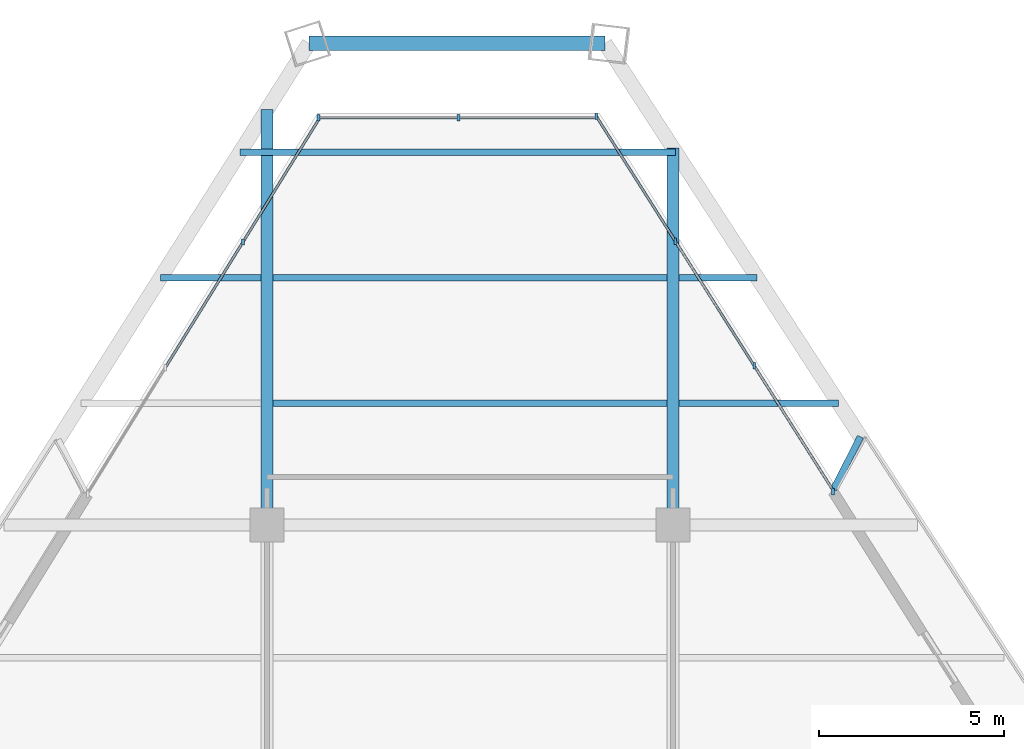
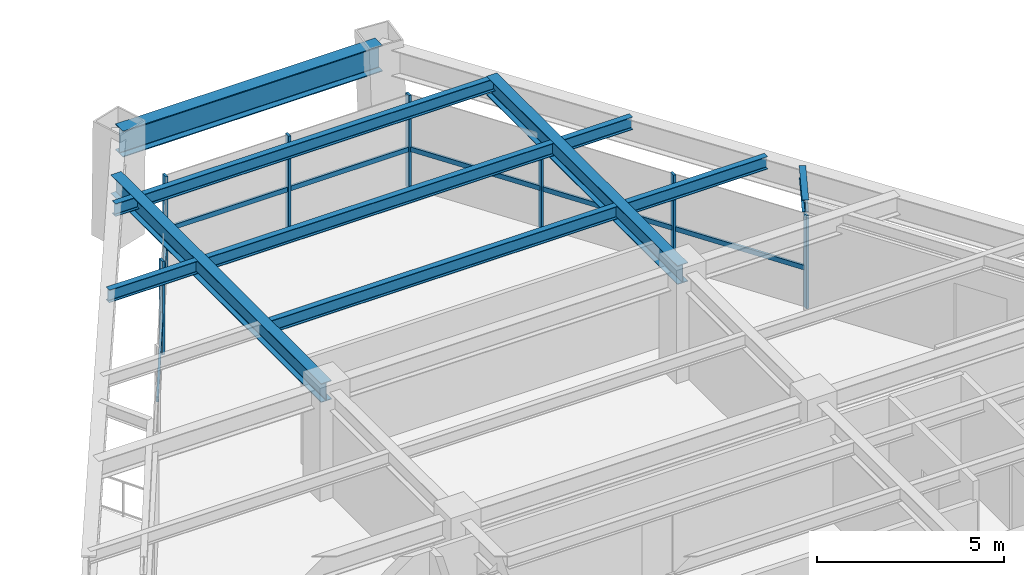
# One storey, part 9 of 15: 14 members, 10 beams, 3 elements without a shape of their own.
"""IFC4 building model written with IfcOpenShell, lengths in metres."""

from ifc_helpers import new_model, si_unit, direction, frame, origin, origin_2d, place, context, subcontext, project, spatial, rectangle, i_section, extrude, source, transform, mapped, material, material_profile, profile_set, type_object, element, aggregate, save


model = new_model("IFC4")

# Units and contexts
model_context = context("Model", 3, precision=1e-05, world=origin(), true_north=direction((0.0, 1.0)))
body_context = subcontext(model_context, "Body", "Model", "MODEL_VIEW")
ifc_project = project(units=[si_unit("LENGTHUNIT", "METRE"), si_unit("AREAUNIT", "SQUARE_METRE"), si_unit("VOLUMEUNIT", "CUBIC_METRE"), si_unit("PLANEANGLEUNIT", "RADIAN"), si_unit("MASSUNIT", "GRAM", prefix="KILO")], contexts=[model_context])

# Site, building, storey
site_placement = place(None, origin())
site = spatial("IfcSite", under=ifc_project, at=site_placement, CompositionType="ELEMENT")
building_placement = place(site_placement, origin())
building = spatial("IfcBuilding", under=site, at=building_placement, Name="Varnakhor Terracotta Tower", CompositionType="ELEMENT")
storey_placement = place(building_placement, frame((0.0, 0.0, 189.5)))
storey = spatial("IfcBuildingStorey", under=building, at=storey_placement, Name="L48", CompositionType="ELEMENT", Elevation=189.5)

# Beams
ifc_material_1 = material(Name="Steel S355", Category="steel")
ifc_material_profile_1 = material_profile(ifc_material_1, i_section(OverallWidth=0.179931640625, OverallDepth=0.4130859375, WebThickness=0.009765625, FlangeThickness=0.01611328125, FilletRadius=0.01806640625, at=origin_2d()), Name="W16X50")
ifc_profile_set_1 = profile_set([ifc_material_profile_1], Name="Steel S355")
beam_type_1 = type_object("IfcBeamType", Name="JST-W16X50", PredefinedType="JOIST", material=ifc_profile_set_1)
shared_shape_1 = source(origin(), body_context, "Body", "SweptSolid", [
    extrude(i_section(OverallWidth=0.179931640625, OverallDepth=0.4130859375, WebThickness=0.009765625, FlangeThickness=0.01611328125, FilletRadius=0.01806640625, at=origin_2d()), origin(), (0.0, 0.0, 1.0), 10.68310546875),
])
for number, where, z_axis, x_axis, name in (
    (1, (-5.341552734375, 34.800048828125, 3.263427734375), (1.0, 0.0, 0.0), (0.0, 1.0, 0.0), "L48 Composite Floor Joist 7-2"),
    (2, (-5.341552734375, 38.199951171875, 3.263427734375), (1.0, 0.0, 0.0), (0.0, 1.0, 0.0), "L48 Composite Floor Joist 8-2"),
):
    element("IfcBeam", number, at=place(storey_placement, frame(where, z_axis=z_axis, x_axis=x_axis)), inside=storey, type_object=beam_type_1, Name=name, PredefinedType="JOIST", context=body_context, shape_type="MappedRepresentation", body=[
        mapped(shared_shape_1, transform((0.0, 0.0, 0.0), scale=1.0)),
    ])
ifc_material_profile_2 = material_profile(ifc_material_1, i_section(OverallWidth=0.39990234375, OverallDepth=0.85498046875, WebThickness=0.01806640625, FlangeThickness=0.029052734375, FilletRadius=0.01806640625, at=origin_2d()), Name="W33X201")
ifc_profile_set_2 = profile_set([ifc_material_profile_2], Name="Steel S355")
beam_type_2 = type_object("IfcBeamType", Name="BM-W33X201", PredefinedType="BEAM", material=ifc_profile_set_2)
shared_shape_2 = source(origin(), body_context, "Body", "SweptSolid", [
    extrude(i_section(OverallWidth=0.39990234375, OverallDepth=0.85498046875, WebThickness=0.01806640625, FlangeThickness=0.029052734375, FilletRadius=0.01806640625, at=origin_2d()), origin(), (0.0, 0.0, 1.0), 8.02001953125),
])
beam_1_placement = place(storey_placement, frame((3.65576171875, 44.55078125, 3.04248046875), z_axis=(-1.0, 0.0, 0.0), x_axis=(0.0, -1.0, 0.0)))
element("IfcBeam", 3, at=beam_1_placement, inside=storey, type_object=beam_type_2, Name="L48 Perimeter Spandrel 5", PredefinedType="BEAM", context=body_context, shape_type="MappedRepresentation", body=[
    mapped(shared_shape_2, transform((0.0, 0.0, 0.0), scale=1.0)),
])
ifc_material_profile_3 = material_profile(ifc_material_1, i_section(OverallWidth=0.324951171875, OverallDepth=0.615966796875, WebThickness=0.013916015625, FlangeThickness=0.02197265625, FilletRadius=0.01806640625, at=origin_2d()), Name="W24X117")
ifc_profile_set_3 = profile_set([ifc_material_profile_3], Name="Steel S355")
beam_type_3 = type_object("IfcBeamType", Name="BM-W24X117", PredefinedType="BEAM", material=ifc_profile_set_3)
shared_shape_3 = source(origin(), body_context, "Body", "SweptSolid", [
    extrude(i_section(OverallWidth=0.324951171875, OverallDepth=0.615966796875, WebThickness=0.013916015625, FlangeThickness=0.02197265625, FilletRadius=0.01806640625, at=origin_2d()), origin(), (0.0, 0.0, 1.0), 11.257080078125),
])
beam_2_placement = place(storey_placement, frame((-5.5, 31.5, 3.162109375), z_axis=(0.0, 1.0, 0.0), x_axis=(-1.0, 0.0, 0.0)))
element("IfcBeam", 4, at=beam_2_placement, inside=storey, type_object=beam_type_3, Name="L48 Primary Girder NS3-W", PredefinedType="BEAM", context=body_context, shape_type="MappedRepresentation", body=[
    mapped(shared_shape_3, transform((0.0, 0.0, 0.0), scale=1.0)),
])
shared_shape_4 = source(origin(), body_context, "Body", "SweptSolid", [
    extrude(i_section(OverallWidth=0.324951171875, OverallDepth=0.615966796875, WebThickness=0.013916015625, FlangeThickness=0.02197265625, FilletRadius=0.01806640625, at=origin_2d()), origin(), (0.0, 0.0, 1.0), 10.20947265625),
])
beam_3_placement = place(storey_placement, frame((5.5, 31.5, 3.162109375), z_axis=(0.0, 1.0, 0.0), x_axis=(-1.0, 0.0, 0.0)))
element("IfcBeam", 5, at=beam_3_placement, inside=storey, type_object=beam_type_3, Name="L48 Primary Girder NS3-E", PredefinedType="BEAM", context=body_context, shape_type="MappedRepresentation", body=[
    mapped(shared_shape_4, transform((0.0, 0.0, 0.0), scale=1.0)),
])
shared_shape_5 = source(origin(), body_context, "Body", "SweptSolid", [
    extrude(i_section(OverallWidth=0.179931640625, OverallDepth=0.4130859375, WebThickness=0.009765625, FlangeThickness=0.01611328125, FilletRadius=0.01806640625, at=origin_2d()), origin(), (0.0, 0.0, 1.0), 4.326416015625),
])
beam_4_placement = place(storey_placement, frame((5.658447265625, 34.800048828125, 3.263427734375), z_axis=(1.0, 0.0, 0.0), x_axis=(0.0, 1.0, 0.0)))
element("IfcBeam", 6, at=beam_4_placement, inside=storey, type_object=beam_type_1, Name="L48 Composite Floor Joist 7-3", PredefinedType="JOIST", context=body_context, shape_type="MappedRepresentation", body=[
    mapped(shared_shape_5, transform((0.0, 0.0, 0.0), scale=1.0)),
])
shared_shape_6 = source(origin(), body_context, "Body", "SweptSolid", [
    extrude(i_section(OverallWidth=0.179931640625, OverallDepth=0.4130859375, WebThickness=0.009765625, FlangeThickness=0.01611328125, FilletRadius=0.01806640625, at=origin_2d()), origin(), (0.0, 0.0, 1.0), 2.72705078125),
])
beam_5_placement = place(storey_placement, frame((-8.385498046875, 38.199951171875, 3.263427734375), z_axis=(1.0, 0.0, 0.0), x_axis=(0.0, 1.0, 0.0)))
element("IfcBeam", 7, at=beam_5_placement, inside=storey, type_object=beam_type_1, Name="L48 Composite Floor Joist 8-1", PredefinedType="JOIST", context=body_context, shape_type="MappedRepresentation", body=[
    mapped(shared_shape_6, transform((0.0, 0.0, 0.0), scale=1.0)),
])
shared_shape_7 = source(origin(), body_context, "Body", "SweptSolid", [
    extrude(i_section(OverallWidth=0.179931640625, OverallDepth=0.4130859375, WebThickness=0.009765625, FlangeThickness=0.01611328125, FilletRadius=0.01806640625, at=origin_2d()), origin(), (0.0, 0.0, 1.0), 2.119384765625),
])
beam_6_placement = place(storey_placement, frame((5.658447265625, 38.199951171875, 3.263427734375), z_axis=(1.0, 0.0, 0.0), x_axis=(0.0, 1.0, 0.0)))
element("IfcBeam", 8, at=beam_6_placement, inside=storey, type_object=beam_type_1, Name="L48 Composite Floor Joist 8-3", PredefinedType="JOIST", context=body_context, shape_type="MappedRepresentation", body=[
    mapped(shared_shape_7, transform((0.0, 0.0, 0.0), scale=1.0)),
])
shared_shape_8 = source(origin(), body_context, "Body", "SweptSolid", [
    extrude(i_section(OverallWidth=0.179931640625, OverallDepth=0.4130859375, WebThickness=0.009765625, FlangeThickness=0.01611328125, FilletRadius=0.01806640625, at=origin_2d()), origin(), (0.0, 0.0, 1.0), 11.8037109375),
])
beam_7_placement = place(storey_placement, frame((-6.232666015625, 41.60009765625, 3.263427734375), z_axis=(1.0, 0.0, 0.0), x_axis=(0.0, 1.0, 0.0)))
element("IfcBeam", 9, at=beam_7_placement, inside=storey, type_object=beam_type_1, Name="L48 Composite Floor Joist 9-1", PredefinedType="JOIST", context=body_context, shape_type="MappedRepresentation", body=[
    mapped(shared_shape_8, transform((0.0, 0.0, 0.0), scale=1.0)),
])
ifc_material_profile_4 = material_profile(ifc_material_1, i_section(OverallWidth=0.179931640625, OverallDepth=0.39990234375, WebThickness=0.008544921875, FlangeThickness=0.013427734375, FilletRadius=0.01806640625, at=origin_2d()), Name="IPE400")
ifc_profile_set_4 = profile_set([ifc_material_profile_4], Name="Steel S355")
beam_type_4 = type_object("IfcBeamType", Name="JST-IPE400", PredefinedType="JOIST", material=ifc_profile_set_4)
shared_shape_9 = source(origin(), body_context, "Body", "SweptSolid", [
    extrude(i_section(OverallWidth=0.179931640625, OverallDepth=0.39990234375, WebThickness=0.008544921875, FlangeThickness=0.013427734375, FilletRadius=0.01806640625, at=origin_2d()), origin(), (0.0, 0.0, 1.0), 1.6103515625),
])
beam_8_placement = place(storey_placement, frame((9.843994140625, 32.4541015625, 3.27001953125), z_axis=(0.454958797791, 0.890512488578, 0.0), x_axis=(-0.890512488578, 0.454958797791, 0.0)))
element("IfcBeam", 10, at=beam_8_placement, inside=storey, type_object=beam_type_4, Name="L49 E Loggia Tie Beam 1", PredefinedType="JOIST", context=body_context, shape_type="MappedRepresentation", body=[
    mapped(shared_shape_9, transform((0.0, 0.0, 0.0), scale=1.0)),
])

# Curtain wall, member
ifc_material_2 = material(Name="Anodised Aluminium Curtain Wall System", Category="aluminium")
curtain_wall_type = type_object("IfcCurtainWallType", Name="CW-SYS-MID-OFFICE", PredefinedType="NOTDEFINED", material=ifc_material_2)
curtain_wall_1_placement = place(storey_placement, origin())
curtain_wall_1 = element("IfcCurtainWall", 11, at=curtain_wall_1_placement, inside=storey, type_object=curtain_wall_type, Name="L48 W Facet Curtain Wall 2", PredefinedType="NOTDEFINED")
ifc_material_3 = material(Name="Anodised Aluminium 6063-T6", Category="aluminium")
ifc_material_profile_5 = material_profile(ifc_material_3, rectangle(XDim=0.070068359375, YDim=0.175048828125, at=origin_2d()), Name="ALU MULLION 70x175")
ifc_profile_set_5 = profile_set([ifc_material_profile_5], Name="Anodised Aluminium 6063-T6")
member_type_1 = type_object("IfcMemberType", Name="CWM-03", PredefinedType="MULLION", material=ifc_profile_set_5)
shared_shape_10 = source(origin(), body_context, "Body", "SweptSolid", [
    extrude(rectangle(XDim=0.070068359375, YDim=0.175048828125, at=origin_2d()), origin(), (0.0, 0.0, 1.0), 3.050048828125),
])
member_1_placement = place(storey_placement, frame((-6.15283203125, 39.164794921875, 0.0), z_axis=(0.0, 0.0, 1.0), x_axis=(1.0, 0.0, 0.0)))
member_1 = element("IfcMember", 12, at=member_1_placement, type_object=member_type_1, Name="L48 W Facet Curtain Wall 2 Mullion 3", PredefinedType="MULLION", context=body_context, shape_type="MappedRepresentation", body=[
    mapped(shared_shape_10, transform((0.0, 0.0, 0.0), scale=1.0)),
])

# Curtain wall, members
curtain_wall_2_placement = place(storey_placement, origin())
curtain_wall_2 = element("IfcCurtainWall", 13, at=curtain_wall_2_placement, inside=storey, type_object=curtain_wall_type, Name="L48 Facet Curtain Wall 2", PredefinedType="NOTDEFINED")
member_2_placement = place(storey_placement, frame((-4.106201171875, 42.534912109375, 0.0), z_axis=(0.0, 0.0, 1.0), x_axis=(1.0, 0.0, 0.0)))
member_2 = element("IfcMember", 14, at=member_2_placement, type_object=member_type_1, Name="L48 Facet Curtain Wall 2 Mullion 1", PredefinedType="MULLION", context=body_context, shape_type="MappedRepresentation", body=[
    mapped(shared_shape_10, transform((0.0, 0.0, 0.0), scale=1.0)),
])
member_3_placement = place(storey_placement, frame((-0.314208984375, 42.534912109375, 0.0), z_axis=(0.0, 0.0, 1.0), x_axis=(1.0, 0.0, 0.0)))
member_3 = element("IfcMember", 15, at=member_3_placement, type_object=member_type_1, Name="L48 Facet Curtain Wall 2 Mullion 2", PredefinedType="MULLION", context=body_context, shape_type="MappedRepresentation", body=[
    mapped(shared_shape_10, transform((0.0, 0.0, 0.0), scale=1.0)),
])

curtain_wall_3_placement = place(storey_placement, origin())
curtain_wall_3 = element("IfcCurtainWall", 16, at=curtain_wall_3_placement, inside=storey, type_object=curtain_wall_type, Name="L48 E Facet Curtain Wall 1", PredefinedType="NOTDEFINED")
member_4_placement = place(storey_placement, frame((3.42236328125, 42.5654296875, 0.0), z_axis=(0.0, 0.0, 1.0), x_axis=(1.0, 0.0, 0.0)))
member_4 = element("IfcMember", 17, at=member_4_placement, type_object=member_type_1, Name="L48 E Facet Curtain Wall 1 Mullion 1", PredefinedType="MULLION", context=body_context, shape_type="MappedRepresentation", body=[
    mapped(shared_shape_10, transform((0.0, 0.0, 0.0), scale=1.0)),
])
member_5_placement = place(storey_placement, frame((5.5595703125, 39.189208984375, 0.0), z_axis=(0.0, 0.0, 1.0), x_axis=(1.0, 0.0, 0.0)))
member_5 = element("IfcMember", 18, at=member_5_placement, type_object=member_type_1, Name="L48 E Facet Curtain Wall 1 Mullion 2", PredefinedType="MULLION", context=body_context, shape_type="MappedRepresentation", body=[
    mapped(shared_shape_10, transform((0.0, 0.0, 0.0), scale=1.0)),
])
member_6_placement = place(storey_placement, frame((7.69677734375, 35.81298828125, 0.0), z_axis=(0.0, 0.0, 1.0), x_axis=(1.0, 0.0, 0.0)))
member_6 = element("IfcMember", 19, at=member_6_placement, type_object=member_type_1, Name="L48 E Facet Curtain Wall 1 Mullion 3", PredefinedType="MULLION", context=body_context, shape_type="MappedRepresentation", body=[
    mapped(shared_shape_10, transform((0.0, 0.0, 0.0), scale=1.0)),
])
member_7_placement = place(storey_placement, frame((9.833251953125, 32.400634765625, 0.0), z_axis=(0.0, 0.0, 1.0), x_axis=(1.0, 0.0, 0.0)))
member_7 = element("IfcMember", 20, at=member_7_placement, type_object=member_type_1, Name="L48 E Loggia Jamb Closure Mullion 1", PredefinedType="MULLION", context=body_context, shape_type="MappedRepresentation", body=[
    mapped(shared_shape_10, transform((0.0, 0.0, 0.0), scale=1.0)),
])

# Member
ifc_material_profile_6 = material_profile(ifc_material_3, rectangle(XDim=0.070068359375, YDim=0.155029296875, at=origin_2d()), Name="ALU TRANSOM 70x155")
ifc_profile_set_6 = profile_set([ifc_material_profile_6], Name="Anodised Aluminium 6063-T6")
member_type_2 = type_object("IfcMemberType", Name="CWT-03", PredefinedType="USERDEFINED", material=ifc_profile_set_6)
shared_shape_11 = source(origin(), body_context, "Body", "SweptSolid", [
    extrude(rectangle(XDim=0.070068359375, YDim=0.155029296875, at=origin_2d()), origin(), (0.0, 0.0, 1.0), 3.9990234375),
])
member_8_placement = place(storey_placement, frame((-8.256103515625, 35.763427734375, 1.281005859375), z_axis=(0.525932114623, 0.85052654915, 0.0), x_axis=(-0.85052654915, 0.525932114623, 0.0)))
member_8 = element("IfcMember", 21, at=member_8_placement, type_object=member_type_2, Name="L48 W Facet Curtain Wall 2 Transom 2", ObjectType="TRANSOM", PredefinedType="USERDEFINED", context=body_context, shape_type="MappedRepresentation", body=[
    mapped(shared_shape_11, transform((0.0, 0.0, 0.0), scale=1.0)),
])

shared_shape_12 = source(origin(), body_context, "Body", "SweptSolid", [
    extrude(rectangle(XDim=0.070068359375, YDim=0.155029296875, at=origin_2d()), origin(), (0.0, 0.0, 1.0), 3.999267578125),
])
member_9_placement = place(storey_placement, frame((-6.15283203125, 39.164794921875, 1.281005859375), z_axis=(0.525860643907, 0.850570739674, 0.0), x_axis=(-0.850570739674, 0.525860643907, 0.0)))
member_9 = element("IfcMember", 22, at=member_9_placement, type_object=member_type_2, Name="L48 W Facet Curtain Wall 2 Transom 3", ObjectType="TRANSOM", PredefinedType="USERDEFINED", context=body_context, shape_type="MappedRepresentation", body=[
    mapped(shared_shape_12, transform((0.0, 0.0, 0.0), scale=1.0)),
])

aggregate(curtain_wall_1, [member_8, member_1, member_9])

shared_shape_13 = source(origin(), body_context, "Body", "SweptSolid", [
    extrude(rectangle(XDim=0.070068359375, YDim=0.155029296875, at=origin_2d()), origin(), (0.0, 0.0, 1.0), 3.7919921875),
])
member_10_placement = place(storey_placement, frame((-4.106201171875, 42.534912109375, 1.281005859375), z_axis=(1.0, 0.0, 0.0), x_axis=(0.0, 1.0, 0.0)))
member_10 = element("IfcMember", 23, at=member_10_placement, type_object=member_type_2, Name="L48 Facet Curtain Wall 2 Transom 1", ObjectType="TRANSOM", PredefinedType="USERDEFINED", context=body_context, shape_type="MappedRepresentation", body=[
    mapped(shared_shape_13, transform((0.0, 0.0, 0.0), scale=1.0)),
])

member_11_placement = place(storey_placement, frame((-0.314208984375, 42.534912109375, 1.281005859375), z_axis=(1.0, 0.0, 0.0), x_axis=(0.0, 1.0, 0.0)))
member_11 = element("IfcMember", 24, at=member_11_placement, type_object=member_type_2, Name="L48 Facet Curtain Wall 2 Transom 2", ObjectType="TRANSOM", PredefinedType="USERDEFINED", context=body_context, shape_type="MappedRepresentation", body=[
    mapped(shared_shape_13, transform((0.0, 0.0, 0.0), scale=1.0)),
])

aggregate(curtain_wall_2, [member_2, member_10, member_3, member_11])

shared_shape_14 = source(origin(), body_context, "Body", "SweptSolid", [
    extrude(rectangle(XDim=0.070068359375, YDim=0.155029296875, at=origin_2d()), origin(), (0.0, 0.0, 1.0), 3.995849609375),
])
member_12_placement = place(storey_placement, frame((3.42236328125, 42.5654296875, 1.281005859375), z_axis=(0.534861647673, -0.844939653377, 0.0), x_axis=(0.844939653377, 0.534861647673, 0.0)))
member_12 = element("IfcMember", 25, at=member_12_placement, type_object=member_type_2, Name="L48 E Facet Curtain Wall 1 Transom 1", ObjectType="TRANSOM", PredefinedType="USERDEFINED", context=body_context, shape_type="MappedRepresentation", body=[
    mapped(shared_shape_14, transform((0.0, 0.0, 0.0), scale=1.0)),
])

member_13_placement = place(storey_placement, frame((5.5595703125, 39.189208984375, 1.281005859375), z_axis=(0.534861647673, -0.844939653377, 0.0), x_axis=(0.844939653377, 0.534861647673, 0.0)))
member_13 = element("IfcMember", 26, at=member_13_placement, type_object=member_type_2, Name="L48 E Facet Curtain Wall 1 Transom 2", ObjectType="TRANSOM", PredefinedType="USERDEFINED", context=body_context, shape_type="MappedRepresentation", body=[
    mapped(shared_shape_14, transform((0.0, 0.0, 0.0), scale=1.0)),
])

member_14_placement = place(storey_placement, frame((7.69677734375, 35.81298828125, 1.281005859375), z_axis=(0.534861647673, -0.844939653377, 0.0), x_axis=(0.844939653377, 0.534861647673, 0.0)))
member_14 = element("IfcMember", 27, at=member_14_placement, type_object=member_type_2, Name="L48 E Facet Curtain Wall 1 Transom 3", ObjectType="TRANSOM", PredefinedType="USERDEFINED", context=body_context, shape_type="MappedRepresentation", body=[
    mapped(shared_shape_14, transform((0.0, 0.0, 0.0), scale=1.0)),
])

aggregate(curtain_wall_3, [member_4, member_12, member_5, member_13, member_6, member_14, member_7])

save(model, "model.ifc")
